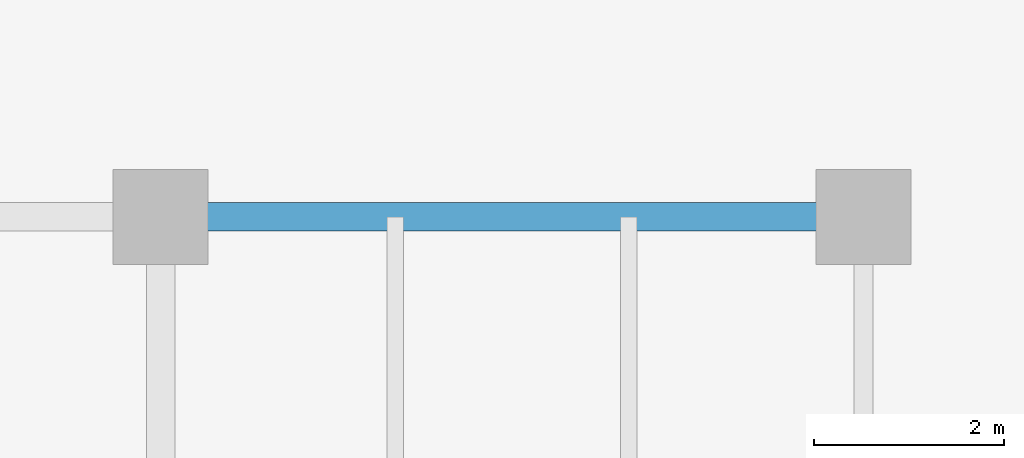
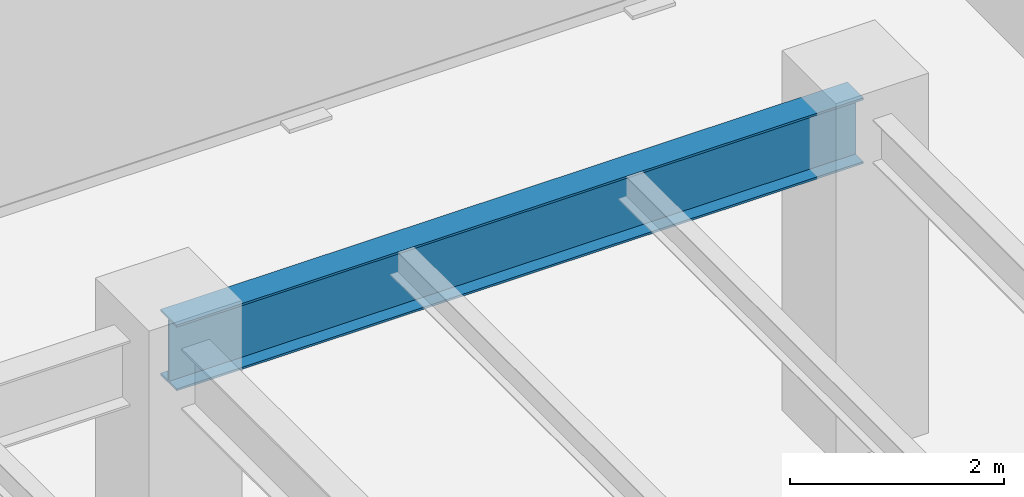
# One storey, part 21 of 36: 1 beam.
"""IFC4 building model written with IfcOpenShell, lengths in metres."""

from ifc_helpers import new_model, si_unit, direction, frame, origin, origin_2d, place, context, subcontext, project, spatial, i_section, extrude, source, transform, mapped, material, material_profile, profile_set, type_object, type_shapes, element, save


model = new_model("IFC4")

# Units and contexts
model_context = context("Model", 3, precision=1e-05, world=origin(), true_north=direction((0.0, 1.0)))
body_context = subcontext(model_context, "Body", "Model", "MODEL_VIEW")
ifc_project = project(units=[si_unit("LENGTHUNIT", "METRE"), si_unit("AREAUNIT", "SQUARE_METRE"), si_unit("VOLUMEUNIT", "CUBIC_METRE"), si_unit("PLANEANGLEUNIT", "RADIAN"), si_unit("MASSUNIT", "GRAM", prefix="KILO")], contexts=[model_context])

# Site, building, storey
site_placement = place(None, origin())
site = spatial("IfcSite", under=ifc_project, at=site_placement, CompositionType="ELEMENT")
building_placement = place(site_placement, origin())
building = spatial("IfcBuilding", under=site, at=building_placement, Name="Haelvirn Gate Laboratories", CompositionType="ELEMENT")
storey_placement = place(building_placement, frame((0.0, 0.0, 29.300048828125)))
storey = spatial("IfcBuildingStorey", under=building, at=storey_placement, Name="L07", CompositionType="ELEMENT", Elevation=29.300048828125)

# Beam
ifc_material = material(Name="Steel SM355", Category="steel")
ifc_material_profile = material_profile(ifc_material, i_section(OverallWidth=0.300048828125, OverallDepth=0.75, WebThickness=0.013916015625, FlangeThickness=0.02392578125, at=origin_2d()), Name="H-750x300x14x24")
ifc_profile_set = profile_set([ifc_material_profile], Name="Steel SM355")
beam_type = type_object("IfcBeamType", Name="BM-G-750", PredefinedType="BEAM", material=ifc_profile_set)
shared_shape = source(origin(), body_context, "Body", "SweptSolid", [
    extrude(i_section(OverallWidth=0.300048828125, OverallDepth=0.75, WebThickness=0.013916015625, FlangeThickness=0.02392578125, at=origin_2d()), origin(), (0.0, 0.0, 1.0), 7.39990234375),
])
type_shapes(beam_type, [shared_shape])
beam_placement = place(storey_placement, frame((60.0, 41.60009765625, 3.405029296875), z_axis=(1.0, 0.0, 0.0), x_axis=(0.0, 1.0, 0.0)))
element("IfcBeam", 1, at=beam_placement, inside=storey, type_object=beam_type, Name="L07 Primary Girder Y41.6 (60.0-67.4)", PredefinedType="BEAM", context=body_context, shape_type="MappedRepresentation", body=[
    mapped(shared_shape, transform((0.0, 0.0, 0.0), scale=1.0)),
])

save(model, "model.ifc")
